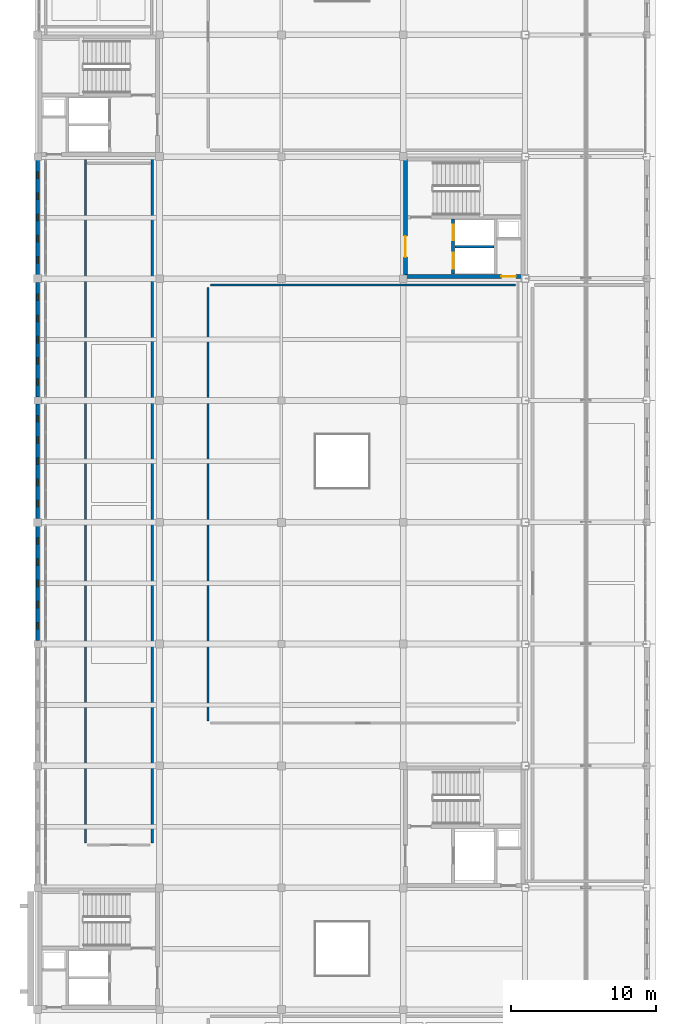
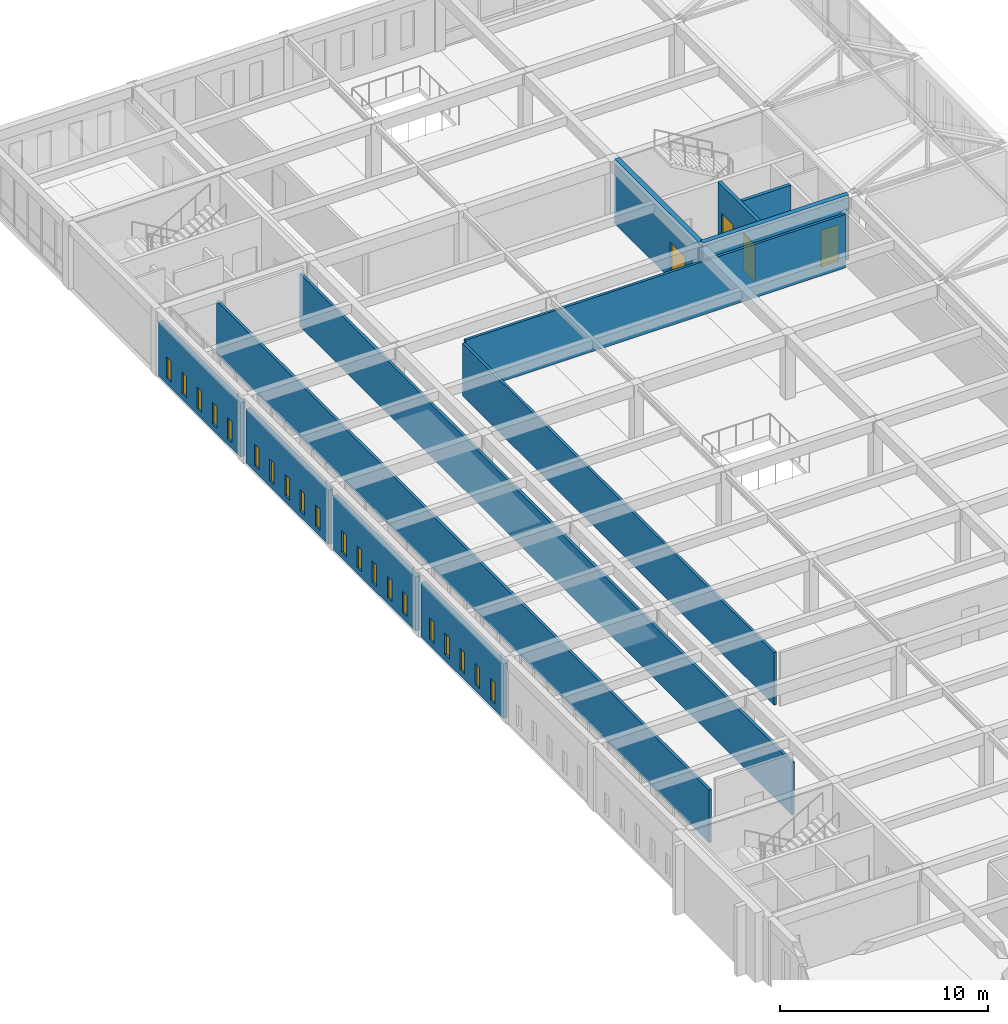
# One storey, part 30 of 36: 20 windows, 12 walls, 4 doors, 24 openings.
"""IFC4 building model written with IfcOpenShell, lengths in metres."""

from ifc_helpers import new_model, si_unit, direction, frame, frame_2d, origin, place, context, subcontext, project, spatial, rectangle, extrude, material, layer, layer_set, type_object, element, fill, save


model = new_model("IFC4")

# Units and contexts
model_context = context("Model", 3, precision=1e-05, world=origin(), true_north=direction((0.0, 1.0)))
body_context = subcontext(model_context, "Body", "Model", "MODEL_VIEW")
ifc_project = project(units=[si_unit("LENGTHUNIT", "METRE"), si_unit("AREAUNIT", "SQUARE_METRE"), si_unit("VOLUMEUNIT", "CUBIC_METRE"), si_unit("PLANEANGLEUNIT", "RADIAN"), si_unit("MASSUNIT", "GRAM", prefix="KILO")], contexts=[model_context])

# Site, building, storey
site_placement = place(None, origin())
site = spatial("IfcSite", under=ifc_project, at=site_placement, CompositionType="ELEMENT")
building_placement = place(site_placement, origin())
building = spatial("IfcBuilding", under=site, at=building_placement, Name="Kveldsbrygga Polytechnic", CompositionType="ELEMENT")
storey_placement = place(building_placement, frame((0.0, 0.0, 22.10009765625)))
storey = spatial("IfcBuildingStorey", under=building, at=storey_placement, Name="L05", CompositionType="ELEMENT", Elevation=22.10009765625)

# Wall, openings, windows
ifc_material_1 = material(Name="Fired clay brick masonry M10", Category="masonry")
ifc_layer_1 = layer(ifc_material_1, 0.239990234375)
ifc_layer_set_1 = layer_set([ifc_layer_1], Name="Fired clay brick masonry M10")
wall_type_1 = type_object("IfcWallType", Name="EW-SCRN-240", PredefinedType="SOLIDWALL", material=ifc_layer_set_1)
wall_1_placement = place(storey_placement, frame((126.0, 50.635009765625, 0.0), z_axis=(0.0, 0.0, 1.0), x_axis=(0.0, 1.0, 0.0)))
wall_1 = element("IfcWall", 1, at=wall_1_placement, inside=storey, type_object=wall_type_1, Name="Perforated Brick Corridor Screen Wall SCRW-L05-Y-15-06", PredefinedType="SOLIDWALL", context=body_context, shape_type="SweptSolid", body=[
    extrude(rectangle(XDim=7.905029296875, YDim=0.239990234375, at=frame_2d((3.95263671875, 0.0))), origin(), (0.0, 0.0, 1.0), 3.179931640625),
])
opening_1_placement = place(wall_1_placement, frame((0.810546875, 0.0, 0.35009765625)))
opening_1 = element("IfcOpeningElement", 2, at=opening_1_placement, cuts=wall_1, Name="Opening W-48", PredefinedType="OPENING", context=body_context, shape_type="SweptSolid", body=[
    extrude(rectangle(XDim=0.43994140625, YDim=1.25, at=frame_2d((0.219970703125, 0.625))), frame((0.0, 0.1298828125, 0.0), z_axis=(0.0, -1.0, 0.0), x_axis=(1.0, 0.0, 0.0)), (0.0, 0.0, 1.0), 0.260009765625),
])
opening_2_placement = place(wall_1_placement, frame((2.271484375, 0.0, 0.35009765625)))
opening_2 = element("IfcOpeningElement", 3, at=opening_2_placement, cuts=wall_1, Name="Opening W-48", PredefinedType="OPENING", context=body_context, shape_type="SweptSolid", body=[
    extrude(rectangle(XDim=0.43994140625, YDim=1.25, at=frame_2d((0.219970703125, 0.625))), frame((0.0, 0.1298828125, 0.0), z_axis=(0.0, -1.0, 0.0), x_axis=(1.0, 0.0, 0.0)), (0.0, 0.0, 1.0), 0.260009765625),
])
opening_3_placement = place(wall_1_placement, frame((3.732421875, 0.0, 0.35009765625)))
opening_3 = element("IfcOpeningElement", 4, at=opening_3_placement, cuts=wall_1, Name="Opening W-48", PredefinedType="OPENING", context=body_context, shape_type="SweptSolid", body=[
    extrude(rectangle(XDim=0.43994140625, YDim=1.25, at=frame_2d((0.219970703125, 0.625))), frame((0.0, 0.1298828125, 0.0), z_axis=(0.0, -1.0, 0.0), x_axis=(1.0, 0.0, 0.0)), (0.0, 0.0, 1.0), 0.260009765625),
])
opening_4_placement = place(wall_1_placement, frame((5.193603515625, 0.0, 0.35009765625)))
opening_4 = element("IfcOpeningElement", 5, at=opening_4_placement, cuts=wall_1, Name="Opening W-48", PredefinedType="OPENING", context=body_context, shape_type="SweptSolid", body=[
    extrude(rectangle(XDim=0.43994140625, YDim=1.25, at=frame_2d((0.219970703125, 0.625))), frame((0.0, 0.1298828125, 0.0), z_axis=(0.0, -1.0, 0.0), x_axis=(1.0, 0.0, 0.0)), (0.0, 0.0, 1.0), 0.260009765625),
])
opening_5_placement = place(wall_1_placement, frame((6.654541015625, 0.0, 0.35009765625)))
opening_5 = element("IfcOpeningElement", 6, at=opening_5_placement, cuts=wall_1, Name="Opening W-48", PredefinedType="OPENING", context=body_context, shape_type="SweptSolid", body=[
    extrude(rectangle(XDim=0.43994140625, YDim=1.25, at=frame_2d((0.219970703125, 0.625))), frame((0.0, 0.1298828125, 0.0), z_axis=(0.0, -1.0, 0.0), x_axis=(1.0, 0.0, 0.0)), (0.0, 0.0, 1.0), 0.260009765625),
])
ifc_material_2 = material(Name="Insulated triple low-E glass", Category="glass")
window_type = type_object("IfcWindowType", Name="WN-SCRN-044x125", PartitioningType="SINGLE_PANEL", PredefinedType="WINDOW", material=ifc_material_2)
window_1_placement = place(opening_1_placement, origin())
window_1 = element("IfcWindow", 7, at=window_1_placement, inside=storey, type_object=window_type, Name="Perforated Screen Aperture L05-Y-15-06-1", OverallHeight=1.25, OverallWidth=0.43994140625, PartitioningType="SINGLE_PANEL", PredefinedType="WINDOW", context=body_context, shape_type="SweptSolid", body=[
    extrude(rectangle(XDim=0.43994140625, YDim=1.25, at=frame_2d((0.219970703125, 0.625))), frame((0.0, 0.030029296875, 0.0), z_axis=(0.0, -1.0, 0.0), x_axis=(1.0, 0.0, 0.0)), (0.0, 0.0, 1.0), 0.06005859375),
])
fill(opening_1, window_1)
window_2_placement = place(opening_2_placement, origin())
window_2 = element("IfcWindow", 8, at=window_2_placement, inside=storey, type_object=window_type, Name="Perforated Screen Aperture L05-Y-15-06-2", OverallHeight=1.25, OverallWidth=0.43994140625, PartitioningType="SINGLE_PANEL", PredefinedType="WINDOW", context=body_context, shape_type="SweptSolid", body=[
    extrude(rectangle(XDim=0.43994140625, YDim=1.25, at=frame_2d((0.219970703125, 0.625))), frame((0.0, 0.030029296875, 0.0), z_axis=(0.0, -1.0, 0.0), x_axis=(1.0, 0.0, 0.0)), (0.0, 0.0, 1.0), 0.06005859375),
])
fill(opening_2, window_2)
window_3_placement = place(opening_3_placement, origin())
window_3 = element("IfcWindow", 9, at=window_3_placement, inside=storey, type_object=window_type, Name="Perforated Screen Aperture L05-Y-15-06-3", OverallHeight=1.25, OverallWidth=0.43994140625, PartitioningType="SINGLE_PANEL", PredefinedType="WINDOW", context=body_context, shape_type="SweptSolid", body=[
    extrude(rectangle(XDim=0.43994140625, YDim=1.25, at=frame_2d((0.219970703125, 0.625))), frame((0.0, 0.030029296875, 0.0), z_axis=(0.0, -1.0, 0.0), x_axis=(1.0, 0.0, 0.0)), (0.0, 0.0, 1.0), 0.06005859375),
])
fill(opening_3, window_3)
window_4_placement = place(opening_4_placement, origin())
window_4 = element("IfcWindow", 10, at=window_4_placement, inside=storey, type_object=window_type, Name="Perforated Screen Aperture L05-Y-15-06-4", OverallHeight=1.25, OverallWidth=0.43994140625, PartitioningType="SINGLE_PANEL", PredefinedType="WINDOW", context=body_context, shape_type="SweptSolid", body=[
    extrude(rectangle(XDim=0.43994140625, YDim=1.25, at=frame_2d((0.219970703125, 0.625))), frame((0.0, 0.030029296875, 0.0), z_axis=(0.0, -1.0, 0.0), x_axis=(1.0, 0.0, 0.0)), (0.0, 0.0, 1.0), 0.06005859375),
])
fill(opening_4, window_4)
window_5_placement = place(opening_5_placement, origin())
window_5 = element("IfcWindow", 11, at=window_5_placement, inside=storey, type_object=window_type, Name="Perforated Screen Aperture L05-Y-15-06-5", OverallHeight=1.25, OverallWidth=0.43994140625, PartitioningType="SINGLE_PANEL", PredefinedType="WINDOW", context=body_context, shape_type="SweptSolid", body=[
    extrude(rectangle(XDim=0.43994140625, YDim=1.25, at=frame_2d((0.219970703125, 0.625))), frame((0.0, 0.030029296875, 0.0), z_axis=(0.0, -1.0, 0.0), x_axis=(1.0, 0.0, 0.0)), (0.0, 0.0, 1.0), 0.06005859375),
])
fill(opening_5, window_5)

wall_2_placement = place(storey_placement, frame((126.0, 59.06005859375, 0.0), z_axis=(0.0, 0.0, 1.0), x_axis=(0.0, 1.0, 0.0)))
wall_2 = element("IfcWall", 12, at=wall_2_placement, inside=storey, type_object=wall_type_1, Name="Perforated Brick Corridor Screen Wall SCRW-L05-Y-15-07", PredefinedType="SOLIDWALL", context=body_context, shape_type="SweptSolid", body=[
    extrude(rectangle(XDim=7.905029296875, YDim=0.239990234375, at=frame_2d((3.95263671875, 0.0))), origin(), (0.0, 0.0, 1.0), 3.179931640625),
])
opening_6_placement = place(wall_2_placement, frame((0.810546875, 0.0, 0.35009765625)))
opening_6 = element("IfcOpeningElement", 13, at=opening_6_placement, cuts=wall_2, Name="Opening W-48", PredefinedType="OPENING", context=body_context, shape_type="SweptSolid", body=[
    extrude(rectangle(XDim=0.43994140625, YDim=1.25, at=frame_2d((0.219970703125, 0.625))), frame((0.0, 0.1298828125, 0.0), z_axis=(0.0, -1.0, 0.0), x_axis=(1.0, 0.0, 0.0)), (0.0, 0.0, 1.0), 0.260009765625),
])
opening_7_placement = place(wall_2_placement, frame((2.271484375, 0.0, 0.35009765625)))
opening_7 = element("IfcOpeningElement", 14, at=opening_7_placement, cuts=wall_2, Name="Opening W-48", PredefinedType="OPENING", context=body_context, shape_type="SweptSolid", body=[
    extrude(rectangle(XDim=0.43994140625, YDim=1.25, at=frame_2d((0.219970703125, 0.625))), frame((0.0, 0.1298828125, 0.0), z_axis=(0.0, -1.0, 0.0), x_axis=(1.0, 0.0, 0.0)), (0.0, 0.0, 1.0), 0.260009765625),
])
opening_8_placement = place(wall_2_placement, frame((3.732421875, 0.0, 0.35009765625)))
opening_8 = element("IfcOpeningElement", 15, at=opening_8_placement, cuts=wall_2, Name="Opening W-48", PredefinedType="OPENING", context=body_context, shape_type="SweptSolid", body=[
    extrude(rectangle(XDim=0.43994140625, YDim=1.25, at=frame_2d((0.219970703125, 0.625))), frame((0.0, 0.1298828125, 0.0), z_axis=(0.0, -1.0, 0.0), x_axis=(1.0, 0.0, 0.0)), (0.0, 0.0, 1.0), 0.260009765625),
])
opening_9_placement = place(wall_2_placement, frame((5.193603515625, 0.0, 0.35009765625)))
opening_9 = element("IfcOpeningElement", 16, at=opening_9_placement, cuts=wall_2, Name="Opening W-48", PredefinedType="OPENING", context=body_context, shape_type="SweptSolid", body=[
    extrude(rectangle(XDim=0.43994140625, YDim=1.25, at=frame_2d((0.219970703125, 0.625))), frame((0.0, 0.1298828125, 0.0), z_axis=(0.0, -1.0, 0.0), x_axis=(1.0, 0.0, 0.0)), (0.0, 0.0, 1.0), 0.260009765625),
])
opening_10_placement = place(wall_2_placement, frame((6.654541015625, 0.0, 0.35009765625)))
opening_10 = element("IfcOpeningElement", 17, at=opening_10_placement, cuts=wall_2, Name="Opening W-48", PredefinedType="OPENING", context=body_context, shape_type="SweptSolid", body=[
    extrude(rectangle(XDim=0.43994140625, YDim=1.25, at=frame_2d((0.219970703125, 0.625))), frame((0.0, 0.1298828125, 0.0), z_axis=(0.0, -1.0, 0.0), x_axis=(1.0, 0.0, 0.0)), (0.0, 0.0, 1.0), 0.260009765625),
])
window_6_placement = place(opening_6_placement, origin())
window_6 = element("IfcWindow", 18, at=window_6_placement, inside=storey, type_object=window_type, Name="Perforated Screen Aperture L05-Y-15-07-1", OverallHeight=1.25, OverallWidth=0.43994140625, PartitioningType="SINGLE_PANEL", PredefinedType="WINDOW", context=body_context, shape_type="SweptSolid", body=[
    extrude(rectangle(XDim=0.43994140625, YDim=1.25, at=frame_2d((0.219970703125, 0.625))), frame((0.0, 0.030029296875, 0.0), z_axis=(0.0, -1.0, 0.0), x_axis=(1.0, 0.0, 0.0)), (0.0, 0.0, 1.0), 0.06005859375),
])
fill(opening_6, window_6)
window_7_placement = place(opening_7_placement, origin())
window_7 = element("IfcWindow", 19, at=window_7_placement, inside=storey, type_object=window_type, Name="Perforated Screen Aperture L05-Y-15-07-2", OverallHeight=1.25, OverallWidth=0.43994140625, PartitioningType="SINGLE_PANEL", PredefinedType="WINDOW", context=body_context, shape_type="SweptSolid", body=[
    extrude(rectangle(XDim=0.43994140625, YDim=1.25, at=frame_2d((0.219970703125, 0.625))), frame((0.0, 0.030029296875, 0.0), z_axis=(0.0, -1.0, 0.0), x_axis=(1.0, 0.0, 0.0)), (0.0, 0.0, 1.0), 0.06005859375),
])
fill(opening_7, window_7)
window_8_placement = place(opening_8_placement, origin())
window_8 = element("IfcWindow", 20, at=window_8_placement, inside=storey, type_object=window_type, Name="Perforated Screen Aperture L05-Y-15-07-3", OverallHeight=1.25, OverallWidth=0.43994140625, PartitioningType="SINGLE_PANEL", PredefinedType="WINDOW", context=body_context, shape_type="SweptSolid", body=[
    extrude(rectangle(XDim=0.43994140625, YDim=1.25, at=frame_2d((0.219970703125, 0.625))), frame((0.0, 0.030029296875, 0.0), z_axis=(0.0, -1.0, 0.0), x_axis=(1.0, 0.0, 0.0)), (0.0, 0.0, 1.0), 0.06005859375),
])
fill(opening_8, window_8)
window_9_placement = place(opening_9_placement, origin())
window_9 = element("IfcWindow", 21, at=window_9_placement, inside=storey, type_object=window_type, Name="Perforated Screen Aperture L05-Y-15-07-4", OverallHeight=1.25, OverallWidth=0.43994140625, PartitioningType="SINGLE_PANEL", PredefinedType="WINDOW", context=body_context, shape_type="SweptSolid", body=[
    extrude(rectangle(XDim=0.43994140625, YDim=1.25, at=frame_2d((0.219970703125, 0.625))), frame((0.0, 0.030029296875, 0.0), z_axis=(0.0, -1.0, 0.0), x_axis=(1.0, 0.0, 0.0)), (0.0, 0.0, 1.0), 0.06005859375),
])
fill(opening_9, window_9)
window_10_placement = place(opening_10_placement, origin())
window_10 = element("IfcWindow", 22, at=window_10_placement, inside=storey, type_object=window_type, Name="Perforated Screen Aperture L05-Y-15-07-5", OverallHeight=1.25, OverallWidth=0.43994140625, PartitioningType="SINGLE_PANEL", PredefinedType="WINDOW", context=body_context, shape_type="SweptSolid", body=[
    extrude(rectangle(XDim=0.43994140625, YDim=1.25, at=frame_2d((0.219970703125, 0.625))), frame((0.0, 0.030029296875, 0.0), z_axis=(0.0, -1.0, 0.0), x_axis=(1.0, 0.0, 0.0)), (0.0, 0.0, 1.0), 0.06005859375),
])
fill(opening_10, window_10)

wall_3_placement = place(storey_placement, frame((126.0, 67.43505859375, 0.0), z_axis=(0.0, 0.0, 1.0), x_axis=(0.0, 1.0, 0.0)))
wall_3 = element("IfcWall", 23, at=wall_3_placement, inside=storey, type_object=wall_type_1, Name="Perforated Brick Corridor Screen Wall SCRW-L05-Y-15-08", PredefinedType="SOLIDWALL", context=body_context, shape_type="SweptSolid", body=[
    extrude(rectangle(XDim=7.905029296875, YDim=0.239990234375, at=frame_2d((3.95263671875, 0.0))), origin(), (0.0, 0.0, 1.0), 3.179931640625),
])
opening_11_placement = place(wall_3_placement, frame((0.810546875, 0.0, 0.35009765625)))
opening_11 = element("IfcOpeningElement", 24, at=opening_11_placement, cuts=wall_3, Name="Opening W-48", PredefinedType="OPENING", context=body_context, shape_type="SweptSolid", body=[
    extrude(rectangle(XDim=0.43994140625, YDim=1.25, at=frame_2d((0.219970703125, 0.625))), frame((0.0, 0.1298828125, 0.0), z_axis=(0.0, -1.0, 0.0), x_axis=(1.0, 0.0, 0.0)), (0.0, 0.0, 1.0), 0.260009765625),
])
opening_12_placement = place(wall_3_placement, frame((2.271484375, 0.0, 0.35009765625)))
opening_12 = element("IfcOpeningElement", 25, at=opening_12_placement, cuts=wall_3, Name="Opening W-48", PredefinedType="OPENING", context=body_context, shape_type="SweptSolid", body=[
    extrude(rectangle(XDim=0.43994140625, YDim=1.25, at=frame_2d((0.219970703125, 0.625))), frame((0.0, 0.1298828125, 0.0), z_axis=(0.0, -1.0, 0.0), x_axis=(1.0, 0.0, 0.0)), (0.0, 0.0, 1.0), 0.260009765625),
])
opening_13_placement = place(wall_3_placement, frame((3.732421875, 0.0, 0.35009765625)))
opening_13 = element("IfcOpeningElement", 26, at=opening_13_placement, cuts=wall_3, Name="Opening W-48", PredefinedType="OPENING", context=body_context, shape_type="SweptSolid", body=[
    extrude(rectangle(XDim=0.43994140625, YDim=1.25, at=frame_2d((0.219970703125, 0.625))), frame((0.0, 0.1298828125, 0.0), z_axis=(0.0, -1.0, 0.0), x_axis=(1.0, 0.0, 0.0)), (0.0, 0.0, 1.0), 0.260009765625),
])
opening_14_placement = place(wall_3_placement, frame((5.193603515625, 0.0, 0.35009765625)))
opening_14 = element("IfcOpeningElement", 27, at=opening_14_placement, cuts=wall_3, Name="Opening W-48", PredefinedType="OPENING", context=body_context, shape_type="SweptSolid", body=[
    extrude(rectangle(XDim=0.43994140625, YDim=1.25, at=frame_2d((0.219970703125, 0.625))), frame((0.0, 0.1298828125, 0.0), z_axis=(0.0, -1.0, 0.0), x_axis=(1.0, 0.0, 0.0)), (0.0, 0.0, 1.0), 0.260009765625),
])
opening_15_placement = place(wall_3_placement, frame((6.654541015625, 0.0, 0.35009765625)))
opening_15 = element("IfcOpeningElement", 28, at=opening_15_placement, cuts=wall_3, Name="Opening W-48", PredefinedType="OPENING", context=body_context, shape_type="SweptSolid", body=[
    extrude(rectangle(XDim=0.43994140625, YDim=1.25, at=frame_2d((0.219970703125, 0.625))), frame((0.0, 0.1298828125, 0.0), z_axis=(0.0, -1.0, 0.0), x_axis=(1.0, 0.0, 0.0)), (0.0, 0.0, 1.0), 0.260009765625),
])
window_11_placement = place(opening_11_placement, origin())
window_11 = element("IfcWindow", 29, at=window_11_placement, inside=storey, type_object=window_type, Name="Perforated Screen Aperture L05-Y-15-08-1", OverallHeight=1.25, OverallWidth=0.43994140625, PartitioningType="SINGLE_PANEL", PredefinedType="WINDOW", context=body_context, shape_type="SweptSolid", body=[
    extrude(rectangle(XDim=0.43994140625, YDim=1.25, at=frame_2d((0.219970703125, 0.625))), frame((0.0, 0.030029296875, 0.0), z_axis=(0.0, -1.0, 0.0), x_axis=(1.0, 0.0, 0.0)), (0.0, 0.0, 1.0), 0.06005859375),
])
fill(opening_11, window_11)
window_12_placement = place(opening_12_placement, origin())
window_12 = element("IfcWindow", 30, at=window_12_placement, inside=storey, type_object=window_type, Name="Perforated Screen Aperture L05-Y-15-08-2", OverallHeight=1.25, OverallWidth=0.43994140625, PartitioningType="SINGLE_PANEL", PredefinedType="WINDOW", context=body_context, shape_type="SweptSolid", body=[
    extrude(rectangle(XDim=0.43994140625, YDim=1.25, at=frame_2d((0.219970703125, 0.625))), frame((0.0, 0.030029296875, 0.0), z_axis=(0.0, -1.0, 0.0), x_axis=(1.0, 0.0, 0.0)), (0.0, 0.0, 1.0), 0.06005859375),
])
fill(opening_12, window_12)
window_13_placement = place(opening_13_placement, origin())
window_13 = element("IfcWindow", 31, at=window_13_placement, inside=storey, type_object=window_type, Name="Perforated Screen Aperture L05-Y-15-08-3", OverallHeight=1.25, OverallWidth=0.43994140625, PartitioningType="SINGLE_PANEL", PredefinedType="WINDOW", context=body_context, shape_type="SweptSolid", body=[
    extrude(rectangle(XDim=0.43994140625, YDim=1.25, at=frame_2d((0.219970703125, 0.625))), frame((0.0, 0.030029296875, 0.0), z_axis=(0.0, -1.0, 0.0), x_axis=(1.0, 0.0, 0.0)), (0.0, 0.0, 1.0), 0.06005859375),
])
fill(opening_13, window_13)
window_14_placement = place(opening_14_placement, origin())
window_14 = element("IfcWindow", 32, at=window_14_placement, inside=storey, type_object=window_type, Name="Perforated Screen Aperture L05-Y-15-08-4", OverallHeight=1.25, OverallWidth=0.43994140625, PartitioningType="SINGLE_PANEL", PredefinedType="WINDOW", context=body_context, shape_type="SweptSolid", body=[
    extrude(rectangle(XDim=0.43994140625, YDim=1.25, at=frame_2d((0.219970703125, 0.625))), frame((0.0, 0.030029296875, 0.0), z_axis=(0.0, -1.0, 0.0), x_axis=(1.0, 0.0, 0.0)), (0.0, 0.0, 1.0), 0.06005859375),
])
fill(opening_14, window_14)
window_15_placement = place(opening_15_placement, origin())
window_15 = element("IfcWindow", 33, at=window_15_placement, inside=storey, type_object=window_type, Name="Perforated Screen Aperture L05-Y-15-08-5", OverallHeight=1.25, OverallWidth=0.43994140625, PartitioningType="SINGLE_PANEL", PredefinedType="WINDOW", context=body_context, shape_type="SweptSolid", body=[
    extrude(rectangle(XDim=0.43994140625, YDim=1.25, at=frame_2d((0.219970703125, 0.625))), frame((0.0, 0.030029296875, 0.0), z_axis=(0.0, -1.0, 0.0), x_axis=(1.0, 0.0, 0.0)), (0.0, 0.0, 1.0), 0.06005859375),
])
fill(opening_15, window_15)

wall_4_placement = place(storey_placement, frame((126.0, 75.860107421875, 0.0), z_axis=(0.0, 0.0, 1.0), x_axis=(0.0, 1.0, 0.0)))
wall_4 = element("IfcWall", 34, at=wall_4_placement, inside=storey, type_object=wall_type_1, Name="Perforated Brick Corridor Screen Wall SCRW-L05-Y-15-09", PredefinedType="SOLIDWALL", context=body_context, shape_type="SweptSolid", body=[
    extrude(rectangle(XDim=7.90478515625, YDim=0.239990234375, at=frame_2d((3.952392578125, 0.0))), origin(), (0.0, 0.0, 1.0), 3.179931640625),
])
opening_16_placement = place(wall_4_placement, frame((0.810546875, 0.0, 0.35009765625)))
opening_16 = element("IfcOpeningElement", 35, at=opening_16_placement, cuts=wall_4, Name="Opening W-48", PredefinedType="OPENING", context=body_context, shape_type="SweptSolid", body=[
    extrude(rectangle(XDim=0.43994140625, YDim=1.25, at=frame_2d((0.219970703125, 0.625))), frame((0.0, 0.1298828125, 0.0), z_axis=(0.0, -1.0, 0.0), x_axis=(1.0, 0.0, 0.0)), (0.0, 0.0, 1.0), 0.260009765625),
])
opening_17_placement = place(wall_4_placement, frame((2.271484375, 0.0, 0.35009765625)))
opening_17 = element("IfcOpeningElement", 36, at=opening_17_placement, cuts=wall_4, Name="Opening W-48", PredefinedType="OPENING", context=body_context, shape_type="SweptSolid", body=[
    extrude(rectangle(XDim=0.43994140625, YDim=1.25, at=frame_2d((0.219970703125, 0.625))), frame((0.0, 0.1298828125, 0.0), z_axis=(0.0, -1.0, 0.0), x_axis=(1.0, 0.0, 0.0)), (0.0, 0.0, 1.0), 0.260009765625),
])
opening_18_placement = place(wall_4_placement, frame((3.732421875, 0.0, 0.35009765625)))
opening_18 = element("IfcOpeningElement", 37, at=opening_18_placement, cuts=wall_4, Name="Opening W-48", PredefinedType="OPENING", context=body_context, shape_type="SweptSolid", body=[
    extrude(rectangle(XDim=0.43994140625, YDim=1.25, at=frame_2d((0.219970703125, 0.625))), frame((0.0, 0.1298828125, 0.0), z_axis=(0.0, -1.0, 0.0), x_axis=(1.0, 0.0, 0.0)), (0.0, 0.0, 1.0), 0.260009765625),
])
opening_19_placement = place(wall_4_placement, frame((5.193603515625, 0.0, 0.35009765625)))
opening_19 = element("IfcOpeningElement", 38, at=opening_19_placement, cuts=wall_4, Name="Opening W-48", PredefinedType="OPENING", context=body_context, shape_type="SweptSolid", body=[
    extrude(rectangle(XDim=0.43994140625, YDim=1.25, at=frame_2d((0.219970703125, 0.625))), frame((0.0, 0.1298828125, 0.0), z_axis=(0.0, -1.0, 0.0), x_axis=(1.0, 0.0, 0.0)), (0.0, 0.0, 1.0), 0.260009765625),
])
opening_20_placement = place(wall_4_placement, frame((6.654541015625, 0.0, 0.35009765625)))
opening_20 = element("IfcOpeningElement", 39, at=opening_20_placement, cuts=wall_4, Name="Opening W-48", PredefinedType="OPENING", context=body_context, shape_type="SweptSolid", body=[
    extrude(rectangle(XDim=0.43994140625, YDim=1.25, at=frame_2d((0.219970703125, 0.625))), frame((0.0, 0.1298828125, 0.0), z_axis=(0.0, -1.0, 0.0), x_axis=(1.0, 0.0, 0.0)), (0.0, 0.0, 1.0), 0.260009765625),
])
window_16_placement = place(opening_16_placement, origin())
window_16 = element("IfcWindow", 40, at=window_16_placement, inside=storey, type_object=window_type, Name="Perforated Screen Aperture L05-Y-15-09-1", OverallHeight=1.25, OverallWidth=0.43994140625, PartitioningType="SINGLE_PANEL", PredefinedType="WINDOW", context=body_context, shape_type="SweptSolid", body=[
    extrude(rectangle(XDim=0.43994140625, YDim=1.25, at=frame_2d((0.219970703125, 0.625))), frame((0.0, 0.030029296875, 0.0), z_axis=(0.0, -1.0, 0.0), x_axis=(1.0, 0.0, 0.0)), (0.0, 0.0, 1.0), 0.06005859375),
])
fill(opening_16, window_16)
window_17_placement = place(opening_17_placement, origin())
window_17 = element("IfcWindow", 41, at=window_17_placement, inside=storey, type_object=window_type, Name="Perforated Screen Aperture L05-Y-15-09-2", OverallHeight=1.25, OverallWidth=0.43994140625, PartitioningType="SINGLE_PANEL", PredefinedType="WINDOW", context=body_context, shape_type="SweptSolid", body=[
    extrude(rectangle(XDim=0.43994140625, YDim=1.25, at=frame_2d((0.219970703125, 0.625))), frame((0.0, 0.030029296875, 0.0), z_axis=(0.0, -1.0, 0.0), x_axis=(1.0, 0.0, 0.0)), (0.0, 0.0, 1.0), 0.06005859375),
])
fill(opening_17, window_17)
window_18_placement = place(opening_18_placement, origin())
window_18 = element("IfcWindow", 42, at=window_18_placement, inside=storey, type_object=window_type, Name="Perforated Screen Aperture L05-Y-15-09-3", OverallHeight=1.25, OverallWidth=0.43994140625, PartitioningType="SINGLE_PANEL", PredefinedType="WINDOW", context=body_context, shape_type="SweptSolid", body=[
    extrude(rectangle(XDim=0.43994140625, YDim=1.25, at=frame_2d((0.219970703125, 0.625))), frame((0.0, 0.030029296875, 0.0), z_axis=(0.0, -1.0, 0.0), x_axis=(1.0, 0.0, 0.0)), (0.0, 0.0, 1.0), 0.06005859375),
])
fill(opening_18, window_18)
window_19_placement = place(opening_19_placement, origin())
window_19 = element("IfcWindow", 43, at=window_19_placement, inside=storey, type_object=window_type, Name="Perforated Screen Aperture L05-Y-15-09-4", OverallHeight=1.25, OverallWidth=0.43994140625, PartitioningType="SINGLE_PANEL", PredefinedType="WINDOW", context=body_context, shape_type="SweptSolid", body=[
    extrude(rectangle(XDim=0.43994140625, YDim=1.25, at=frame_2d((0.219970703125, 0.625))), frame((0.0, 0.030029296875, 0.0), z_axis=(0.0, -1.0, 0.0), x_axis=(1.0, 0.0, 0.0)), (0.0, 0.0, 1.0), 0.06005859375),
])
fill(opening_19, window_19)
window_20_placement = place(opening_20_placement, origin())
window_20 = element("IfcWindow", 44, at=window_20_placement, inside=storey, type_object=window_type, Name="Perforated Screen Aperture L05-Y-15-09-5", OverallHeight=1.25, OverallWidth=0.43994140625, PartitioningType="SINGLE_PANEL", PredefinedType="WINDOW", context=body_context, shape_type="SweptSolid", body=[
    extrude(rectangle(XDim=0.43994140625, YDim=1.25, at=frame_2d((0.219970703125, 0.625))), frame((0.0, 0.030029296875, 0.0), z_axis=(0.0, -1.0, 0.0), x_axis=(1.0, 0.0, 0.0)), (0.0, 0.0, 1.0), 0.06005859375),
])
fill(opening_20, window_20)

# Walls
ifc_material_3 = material(Name="Gypsum acoustic stud partition")
ifc_layer_2 = layer(ifc_material_3, 0.139892578125)
ifc_layer_set_2 = layer_set([ifc_layer_2], Name="Gypsum acoustic stud partition")
wall_type_2 = type_object("IfcWallType", Name="IW-OFF-140", PredefinedType="PARTITIONING", material=ifc_layer_set_2)
wall_5_placement = place(storey_placement, frame((137.89990234375, 75.14990234375, 0.0), z_axis=(0.0, 0.0, 1.0), x_axis=(1.0, 0.0, 0.0)))
element("IfcWall", 45, at=wall_5_placement, inside=storey, type_object=wall_type_2, Name="Partition Wall IW-SP-L05-OFF51-N1", PredefinedType="PARTITIONING", context=body_context, shape_type="SweptSolid", body=[
    extrude(rectangle(XDim=21.050048828125, YDim=0.139892578125, at=frame_2d((10.52490234375, 0.0))), origin(), (0.0, 0.0, 1.0), 3.1298828125),
])
wall_6_placement = place(storey_placement, frame((137.75, 45.10009765625, 0.0), z_axis=(0.0, 0.0, 1.0), x_axis=(0.0, 1.0, 0.0)))
element("IfcWall", 46, at=wall_6_placement, inside=storey, type_object=wall_type_2, Name="Partition Wall IW-SP-L05-OFF51-W1", PredefinedType="PARTITIONING", context=body_context, shape_type="SweptSolid", body=[
    extrude(rectangle(XDim=29.89990234375, YDim=0.139892578125, at=frame_2d((14.949951171875, 0.0))), origin(), (0.0, 0.0, 1.0), 3.079833984375),
])
ifc_layer_3 = layer(ifc_material_3, 0.14990234375)
ifc_layer_set_3 = layer_set([ifc_layer_3], Name="Gypsum acoustic stud partition")
wall_type_3 = type_object("IfcWallType", Name="IW-SEM-150", PredefinedType="PARTITIONING", material=ifc_layer_set_3)
for number, where, z_axis, x_axis, name in (
    (47, (129.300048828125, 36.699951171875, 0.0), (0.0, 0.0, 1.0), (0.0, 1.0, 0.0), "Partition Wall IW-SP-L05-SEM51-W1"),
    (48, (133.89990234375, 36.699951171875, 0.0), (0.0, 0.0, 1.0), (0.0, 1.0, 0.0), "Partition Wall IW-SP-L05-SEM51-E1"),
):
    element("IfcWall", number, at=place(storey_placement, frame(where, z_axis=z_axis, x_axis=x_axis)), inside=storey, type_object=wall_type_3, Name=name, PredefinedType="PARTITIONING", context=body_context, shape_type="SweptSolid", body=[
        extrude(rectangle(XDim=47.27001953125, YDim=0.14990234375, at=frame_2d((23.635009765625, 0.0))), origin(), (0.0, 0.0, 1.0), 3.079833984375),
    ])

# Wall, opening, door
ifc_material_4 = material(Name="Concrete C45/55", Category="concrete")
ifc_layer_4 = layer(ifc_material_4, 0.280029296875)
ifc_layer_set_4 = layer_set([ifc_layer_4], Name="Concrete C45/55")
wall_type_4 = type_object("IfcWallType", Name="WL-CORE-280", PredefinedType="SHEAR", material=ifc_layer_set_4)
wall_7_placement = place(storey_placement, frame((151.35009765625, 75.75, 0.0), z_axis=(0.0, 0.0, 1.0), x_axis=(1.0, 0.0, 0.0)))
wall_7 = element("IfcWall", 49, at=wall_7_placement, inside=storey, type_object=wall_type_4, Name="Core C4 Shear Wall C4-L05-SW-S", PredefinedType="SHEAR", context=body_context, shape_type="SweptSolid", body=[
    extrude(rectangle(XDim=8.099853515625, YDim=0.280029296875, at=frame_2d((4.0498046875, 0.0))), origin(), (0.0, 0.0, 1.0), 3.77978515625),
])
opening_21_placement = place(wall_7_placement, frame((6.614990234375, 0.0, 0.0)))
opening_21 = element("IfcOpeningElement", 50, at=opening_21_placement, cuts=wall_7, Name="Opening ID-C4-L05-AWC", PredefinedType="OPENING", context=body_context, shape_type="SweptSolid", body=[
    extrude(rectangle(XDim=1.0, YDim=2.14990234375, at=frame_2d((0.5, 1.074951171875))), frame((0.0, 0.14990234375, 0.0), z_axis=(0.0, -1.0, 0.0), x_axis=(1.0, 0.0, 0.0)), (0.0, 0.0, 1.0), 0.300048828125),
])
ifc_material_5 = material(Name="Acoustic oak timber", Category="wood")
door_type_1 = type_object("IfcDoorType", Name="ID-AWC-100x215", OperationType="NOTDEFINED", PredefinedType="DOOR", material=ifc_material_5)
door_1_placement = place(opening_21_placement, origin())
door_1 = element("IfcDoor", 51, at=door_1_placement, inside=storey, type_object=door_type_1, Name="Accessible WC Door ID-C4-L05-AWC", OperationType="SINGLE_SWING_RIGHT", OverallHeight=2.14990234375, OverallWidth=1.0, PredefinedType="DOOR", context=body_context, shape_type="SweptSolid", body=[
    extrude(rectangle(XDim=1.0, YDim=2.14990234375, at=frame_2d((0.5, 1.074951171875))), frame((0.0, 0.02490234375, 0.0), z_axis=(0.0, -1.0, 0.0), x_axis=(1.0, 0.0, 0.0)), (0.0, 0.0, 1.0), 0.050048828125),
])
fill(opening_21, door_1)

wall_8_placement = place(storey_placement, frame((151.35009765625, 75.75, 0.0), z_axis=(0.0, 0.0, 1.0), x_axis=(0.0, 1.0, 0.0)))
wall_8 = element("IfcWall", 52, at=wall_8_placement, inside=storey, type_object=wall_type_4, Name="Core C4 Shear Wall C4-L05-SW-W", PredefinedType="SHEAR", context=body_context, shape_type="SweptSolid", body=[
    extrude(rectangle(XDim=8.10009765625, YDim=0.280029296875, at=frame_2d((4.050048828125, 0.0))), origin(), (0.0, 0.0, 1.0), 3.77978515625),
])
opening_22_placement = place(wall_8_placement, frame((1.324951171875, 0.0, 0.0)))
opening_22 = element("IfcOpeningElement", 53, at=opening_22_placement, cuts=wall_8, Name="Opening FD-C4-L05-LOB", PredefinedType="OPENING", context=body_context, shape_type="SweptSolid", body=[
    extrude(rectangle(XDim=1.449951171875, YDim=2.14990234375, at=frame_2d((0.72509765625, 1.074951171875))), frame((0.0, 0.14990234375, 0.0), z_axis=(0.0, -1.0, 0.0), x_axis=(1.0, 0.0, 0.0)), (0.0, 0.0, 1.0), 0.300048828125),
])
ifc_material_6 = material(Name="Powder-coated galvanised steel", Category="steel")
door_type_2 = type_object("IfcDoorType", Name="ID-LOBBY-145x215", OperationType="DOUBLE_DOOR_SINGLE_SWING", PredefinedType="DOOR", material=ifc_material_6)
door_2_placement = place(opening_22_placement, origin())
door_2 = element("IfcDoor", 54, at=door_2_placement, inside=storey, type_object=door_type_2, Name="Core Lobby Fire Door FD-C4-L05-LOB", OperationType="DOUBLE_DOOR_SINGLE_SWING", OverallHeight=2.14990234375, OverallWidth=1.449951171875, PredefinedType="DOOR", context=body_context, shape_type="SweptSolid", body=[
    extrude(rectangle(XDim=1.449951171875, YDim=2.14990234375, at=frame_2d((0.72509765625, 1.074951171875))), frame((0.0, 0.02490234375, 0.0), z_axis=(0.0, -1.0, 0.0), x_axis=(1.0, 0.0, 0.0)), (0.0, 0.0, 1.0), 0.050048828125),
])
fill(opening_22, door_2)

# Wall
ifc_material_7 = material(Name="Concrete C35/45", Category="concrete")
ifc_layer_5 = layer(ifc_material_7, 0.179931640625)
ifc_layer_set_5 = layer_set([ifc_layer_5], Name="Concrete C35/45")
wall_type_5 = type_object("IfcWallType", Name="WL-SHFT-180", PredefinedType="SHEAR", material=ifc_layer_set_5)
wall_9_placement = place(storey_placement, frame((154.75, 77.800048828125, 0.0), z_axis=(0.0, 0.0, 1.0), x_axis=(1.0, 0.0, 0.0)))
element("IfcWall", 55, at=wall_9_placement, inside=storey, type_object=wall_type_5, Name="Lift Divider Wall C4-L05-W-LMID", PredefinedType="SHEAR", context=body_context, shape_type="SweptSolid", body=[
    extrude(rectangle(XDim=2.699951171875, YDim=0.179931640625, at=frame_2d((1.35009765625, 0.0))), origin(), (0.0, 0.0, 1.0), 3.77978515625),
])

# Wall, openings, doors
ifc_layer_6 = layer(ifc_material_7, 0.199951171875)
ifc_layer_set_6 = layer_set([ifc_layer_6], Name="Concrete C35/45")
wall_type_6 = type_object("IfcWallType", Name="WL-SHFT-200", PredefinedType="SHEAR", material=ifc_layer_set_6)
wall_10_placement = place(storey_placement, frame((154.639892578125, 75.89990234375, 0.0), z_axis=(0.0, 0.0, 1.0), x_axis=(0.0, 1.0, 0.0)))
wall_10 = element("IfcWall", 56, at=wall_10_placement, inside=storey, type_object=wall_type_6, Name="Lift Front Wall C4-L05-W-LFR", PredefinedType="SHEAR", context=body_context, shape_type="SweptSolid", body=[
    extrude(rectangle(XDim=3.800048828125, YDim=0.199951171875, at=frame_2d((1.89990234375, 0.0))), origin(), (0.0, 0.0, 1.0), 3.77978515625),
])
opening_23_placement = place(wall_10_placement, frame((0.375, 0.0, 0.0)))
opening_23 = element("IfcOpeningElement", 57, at=opening_23_placement, cuts=wall_10, Name="Opening LD-FL-2", PredefinedType="OPENING", context=body_context, shape_type="SweptSolid", body=[
    extrude(rectangle(XDim=1.10009765625, YDim=2.14990234375, at=frame_2d((0.550048828125, 1.074951171875))), frame((0.0, 0.10986328125, 0.0), z_axis=(0.0, -1.0, 0.0), x_axis=(1.0, 0.0, 0.0)), (0.0, 0.0, 1.0), 0.219970703125),
])
opening_24_placement = place(wall_10_placement, frame((2.324951171875, 0.0, 0.0)))
opening_24 = element("IfcOpeningElement", 58, at=opening_24_placement, cuts=wall_10, Name="Opening LD-LP-4", PredefinedType="OPENING", context=body_context, shape_type="SweptSolid", body=[
    extrude(rectangle(XDim=1.10009765625, YDim=2.14990234375, at=frame_2d((0.550048828125, 1.074951171875))), frame((0.0, 0.10986328125, 0.0), z_axis=(0.0, -1.0, 0.0), x_axis=(1.0, 0.0, 0.0)), (0.0, 0.0, 1.0), 0.219970703125),
])
ifc_material_8 = material(Name="Brushed stainless steel EN 1.4401", Category="steel")
door_type_3 = type_object("IfcDoorType", Name="LD-PAX-110x215", OperationType="SLIDING_TO_LEFT", PredefinedType="DOOR", material=ifc_material_8)
door_3_placement = place(opening_23_placement, origin())
door_3 = element("IfcDoor", 59, at=door_3_placement, inside=storey, type_object=door_type_3, Name="Lift Landing Sliding Door LD-FL-2-L05", OperationType="SLIDING_TO_LEFT", OverallHeight=2.14990234375, OverallWidth=1.10009765625, PredefinedType="DOOR", context=body_context, shape_type="SweptSolid", body=[
    extrude(rectangle(XDim=1.10009765625, YDim=2.14990234375, at=frame_2d((0.550048828125, 1.074951171875))), frame((0.0, 0.02490234375, 0.0), z_axis=(0.0, -1.0, 0.0), x_axis=(1.0, 0.0, 0.0)), (0.0, 0.0, 1.0), 0.050048828125),
])
fill(opening_23, door_3)
door_4_placement = place(opening_24_placement, origin())
door_4 = element("IfcDoor", 60, at=door_4_placement, inside=storey, type_object=door_type_3, Name="Lift Landing Sliding Door LD-LP-4-L05", OperationType="SLIDING_TO_LEFT", OverallHeight=2.14990234375, OverallWidth=1.10009765625, PredefinedType="DOOR", context=body_context, shape_type="SweptSolid", body=[
    extrude(rectangle(XDim=1.10009765625, YDim=2.14990234375, at=frame_2d((0.550048828125, 1.074951171875))), frame((0.0, 0.02490234375, 0.0), z_axis=(0.0, -1.0, 0.0), x_axis=(1.0, 0.0, 0.0)), (0.0, 0.0, 1.0), 0.050048828125),
])
fill(opening_24, door_4)

save(model, "model.ifc")
